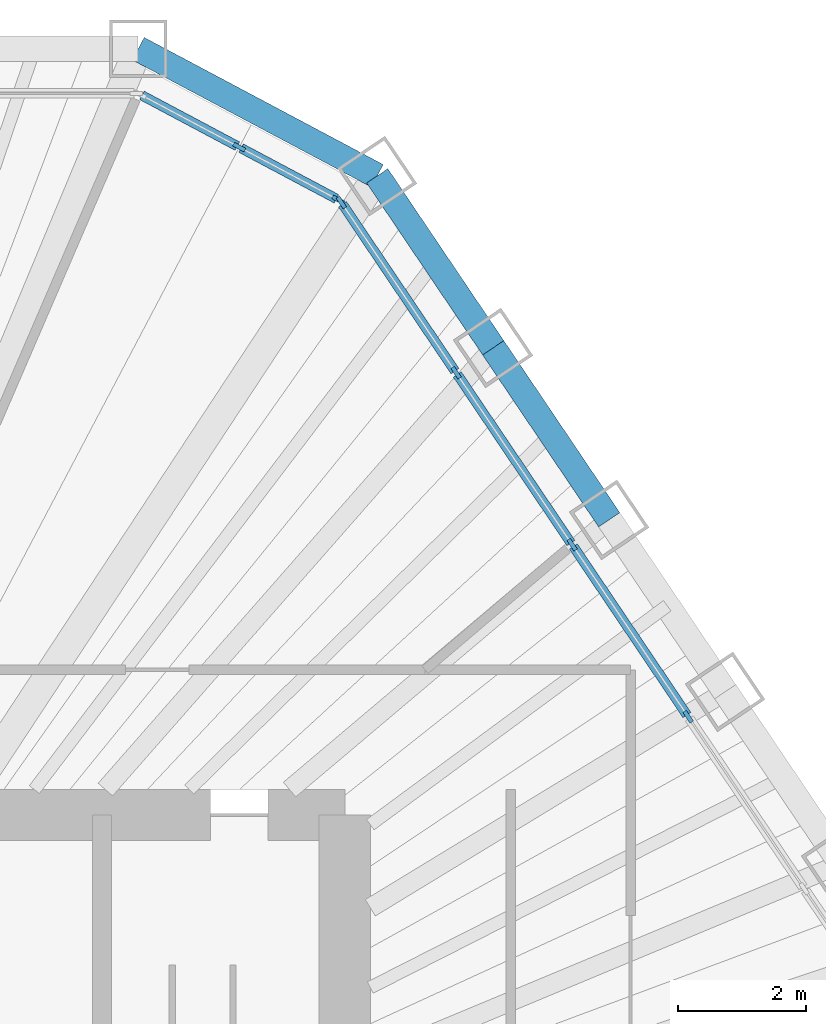
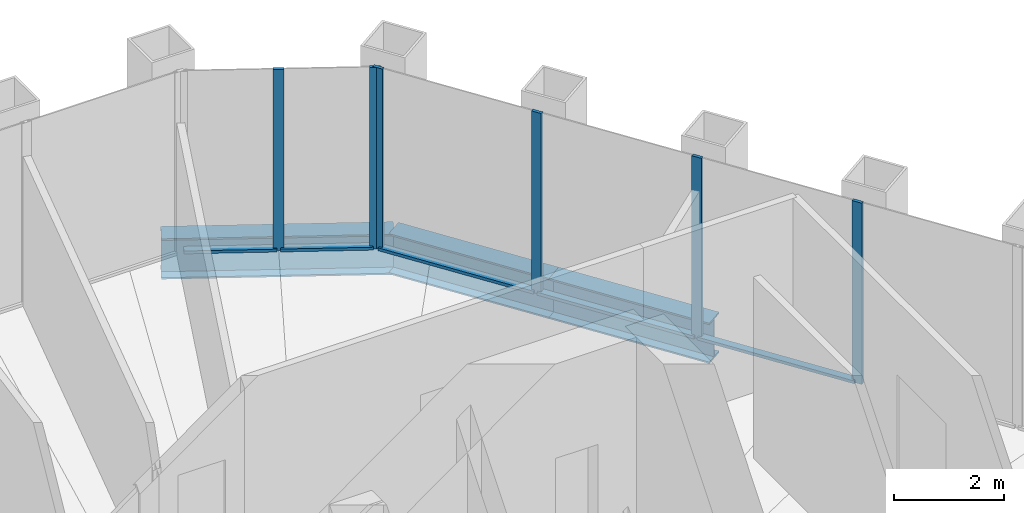
# One storey, part 8 of 14: 11 members, 3 beams, 2 elements without a shape of their own.
"""IFC4 building model written with IfcOpenShell, lengths in metres."""

from ifc_helpers import new_model, si_unit, direction, frame, origin, origin_2d, place, context, subcontext, project, spatial, rectangle, i_section, extrude, material, material_profile, profile_set, type_object, element, aggregate, save


model = new_model("IFC4")

# Units and contexts
model_context = context("Model", 3, precision=1e-05, world=origin(), true_north=direction((0.0, 1.0)))
body_context = subcontext(model_context, "Body", "Model", "MODEL_VIEW")
ifc_project = project(units=[si_unit("LENGTHUNIT", "METRE"), si_unit("AREAUNIT", "SQUARE_METRE"), si_unit("VOLUMEUNIT", "CUBIC_METRE"), si_unit("PLANEANGLEUNIT", "RADIAN"), si_unit("MASSUNIT", "GRAM", prefix="KILO")], contexts=[model_context])

# Site, building, storey
site_placement = place(None, origin())
site = spatial("IfcSite", under=ifc_project, at=site_placement, CompositionType="ELEMENT")
building_placement = place(site_placement, origin())
building = spatial("IfcBuilding", under=site, at=building_placement, Name="Qingtian Harvest Tower", CompositionType="ELEMENT")
storey_placement = place(building_placement, frame((0.0, 0.0, 316.60009765625)))
storey = spatial("IfcBuildingStorey", under=building, at=storey_placement, Name="L70", CompositionType="ELEMENT", Elevation=316.60009765625)

# Curtain wall, members
ifc_material_1 = material(Name="Bronze-anodised aluminium curtain wall", Category="aluminium")
curtain_wall_type = type_object("IfcCurtainWallType", Name="Curtain wall CW5 upper office", PredefinedType="USERDEFINED", material=ifc_material_1)
curtain_wall_1_placement = place(storey_placement, origin())
curtain_wall_1 = element("IfcCurtainWall", 1, at=curtain_wall_1_placement, inside=storey, type_object=curtain_wall_type, Name="Curtain wall CW5 L70 NC", ObjectType="RECESSED CURTAIN WALL", PredefinedType="USERDEFINED")
ifc_material_2 = material(Name="Bronze-anodised aluminium mullion", Category="aluminium")
ifc_material_profile_1 = material_profile(ifc_material_2, rectangle(XDim=0.06494140625, YDim=0.199951171875, at=origin_2d()), Name="AL 65x200")
ifc_profile_set_1 = profile_set([ifc_material_profile_1], Name="Bronze-anodised aluminium mullion")
member_type_1 = type_object("IfcMemberType", Name="Mullion CWM 65x200", PredefinedType="MULLION", material=ifc_profile_set_1)
member_1_placement = place(storey_placement, frame((10.3466796875, 19.45947265625, 0.0), z_axis=(0.0, 0.0, 1.0), x_axis=(0.469471562786, 0.882947592859, 0.0)))
member_1 = element("IfcMember", 2, at=member_1_placement, type_object=member_type_1, Name="CW5 mullion 2", PredefinedType="MULLION", context=body_context, shape_type="SweptSolid", body=[
    extrude(rectangle(XDim=0.06494140625, YDim=0.199951171875, at=origin_2d()), origin(), (0.0, 0.0, 1.0), 4.02978515625),
])
member_2_placement = place(storey_placement, frame((11.89892578125, 18.634033203125, 0.0), z_axis=(0.0, 0.0, 1.0), x_axis=(0.469471562786, 0.882947592859, 0.0)))
member_2 = element("IfcMember", 3, at=member_2_placement, type_object=member_type_1, Name="CW5 mullion 3", PredefinedType="MULLION", context=body_context, shape_type="SweptSolid", body=[
    extrude(rectangle(XDim=0.06494140625, YDim=0.199951171875, at=origin_2d()), origin(), (0.0, 0.0, 1.0), 4.02978515625),
])

curtain_wall_2_placement = place(storey_placement, origin())
curtain_wall_2 = element("IfcCurtainWall", 4, at=curtain_wall_2_placement, inside=storey, type_object=curtain_wall_type, Name="Curtain wall CW5 L70 NE0-5", ObjectType="RECESSED CURTAIN WALL", PredefinedType="USERDEFINED")
member_3_placement = place(storey_placement, frame((11.94580078125, 18.592041015625, 0.0), z_axis=(0.0, 0.0, 1.0), x_axis=(0.829037572555, 0.559192903471, 0.0)))
member_3 = element("IfcMember", 5, at=member_3_placement, type_object=member_type_1, Name="CW5 mullion 1", PredefinedType="MULLION", context=body_context, shape_type="SweptSolid", body=[
    extrude(rectangle(XDim=0.06494140625, YDim=0.199951171875, at=origin_2d()), origin(), (0.0, 0.0, 1.0), 4.02978515625),
])
member_4_placement = place(storey_placement, frame((13.743896484375, 15.926025390625, 0.0), z_axis=(0.0, 0.0, 1.0), x_axis=(0.829037572555, 0.559192903471, 0.0)))
member_4 = element("IfcMember", 6, at=member_4_placement, type_object=member_type_1, Name="CW5 mullion 2", PredefinedType="MULLION", context=body_context, shape_type="SweptSolid", body=[
    extrude(rectangle(XDim=0.06494140625, YDim=0.199951171875, at=origin_2d()), origin(), (0.0, 0.0, 1.0), 4.02978515625),
])
member_5_placement = place(storey_placement, frame((15.56005859375, 13.2333984375, 0.0), z_axis=(0.0, 0.0, 1.0), x_axis=(0.829037572555, 0.559192903471, 0.0)))
member_5 = element("IfcMember", 7, at=member_5_placement, type_object=member_type_1, Name="CW5 mullion 3", PredefinedType="MULLION", context=body_context, shape_type="SweptSolid", body=[
    extrude(rectangle(XDim=0.06494140625, YDim=0.199951171875, at=origin_2d()), origin(), (0.0, 0.0, 1.0), 4.02978515625),
])
member_6_placement = place(storey_placement, frame((17.37646484375, 10.540771484375, 0.0), z_axis=(0.0, 0.0, 1.0), x_axis=(0.829037572555, 0.559192903471, 0.0)))
member_6 = element("IfcMember", 8, at=member_6_placement, type_object=member_type_1, Name="CW5 mullion 4", PredefinedType="MULLION", context=body_context, shape_type="SweptSolid", body=[
    extrude(rectangle(XDim=0.06494140625, YDim=0.199951171875, at=origin_2d()), origin(), (0.0, 0.0, 1.0), 4.02978515625),
])

# Beams
ifc_material_3 = material(Name="Steel SN490B", Category="steel")
ifc_material_profile_2 = material_profile(ifc_material_3, i_section(OverallWidth=0.39990234375, OverallDepth=0.89990234375, WebThickness=0.01904296875, FlangeThickness=0.035888671875, at=origin_2d()), Name="H900x400x19x36")
ifc_profile_set_2 = profile_set([ifc_material_profile_2], Name="Steel SN490B")
beam_type = type_object("IfcBeamType", Name="Spandrel beam SB4 H900x400x19x36", PredefinedType="SPANDREL", material=ifc_profile_set_2)
beam_1_placement = place(storey_placement, frame((8.765869140625, 21.0, -0.4501953125), z_axis=(0.882948599748, -0.469469669099, 0.0), x_axis=(0.469469669099, 0.882948599748, 0.0)))
element("IfcBeam", 9, at=beam_1_placement, inside=storey, type_object=beam_type, Name="Spandrel SB4 NC", PredefinedType="SPANDREL", context=body_context, shape_type="SweptSolid", body=[
    extrude(i_section(OverallWidth=0.39990234375, OverallDepth=0.89990234375, WebThickness=0.01904296875, FlangeThickness=0.035888671875, at=origin_2d()), origin(), (0.0, 0.0, 1.0), 4.23828125),
])
beam_2_placement = place(storey_placement, frame((12.508056640625, 19.01025390625, -0.4501953125), z_axis=(0.559184924833, -0.829042954158, 0.0), x_axis=(0.829042954158, 0.559184924833, 0.0)))
element("IfcBeam", 10, at=beam_2_placement, inside=storey, type_object=beam_type, Name="Spandrel SB4 NE0", PredefinedType="SPANDREL", context=body_context, shape_type="SweptSolid", body=[
    extrude(i_section(OverallWidth=0.39990234375, OverallDepth=0.89990234375, WebThickness=0.01904296875, FlangeThickness=0.035888671875, at=origin_2d()), origin(), (0.0, 0.0, 1.0), 3.247802734375),
])
beam_3_placement = place(storey_placement, frame((14.32421875, 16.317626953125, -0.4501953125), z_axis=(0.559201740147, -0.829031612073, 0.0), x_axis=(0.829031612073, 0.559201740147, 0.0)))
element("IfcBeam", 11, at=beam_3_placement, inside=storey, type_object=beam_type, Name="Spandrel SB4 NE1", PredefinedType="SPANDREL", context=body_context, shape_type="SweptSolid", body=[
    extrude(i_section(OverallWidth=0.39990234375, OverallDepth=0.89990234375, WebThickness=0.01904296875, FlangeThickness=0.035888671875, at=origin_2d()), origin(), (0.0, 0.0, 1.0), 3.248291015625),
])

# Member
ifc_material_4 = material(Name="Bronze-anodised aluminium transom", Category="aluminium")
ifc_material_profile_3 = material_profile(ifc_material_4, rectangle(XDim=0.14990234375, YDim=0.06494140625, at=origin_2d()), Name="AL 65x150")
ifc_profile_set_3 = profile_set([ifc_material_profile_3], Name="Bronze-anodised aluminium transom")
member_type_2 = type_object("IfcMemberType", Name="Transom CWT 65x150", PredefinedType="USERDEFINED", material=ifc_profile_set_3)
member_7_placement = place(storey_placement, frame((8.8232421875, 20.26953125, 0.032470703125), z_axis=(0.882927080927, -0.469510138086, 0.0), x_axis=(0.469510138086, 0.882927080927, 0.0)))
member_7 = element("IfcMember", 12, at=member_7_placement, type_object=member_type_2, Name="CW5 transom 1.1", ObjectType="TRANSOM", PredefinedType="USERDEFINED", context=body_context, shape_type="SweptSolid", body=[
    extrude(rectangle(XDim=0.14990234375, YDim=0.06494140625, at=origin_2d()), origin(), (0.0, 0.0, 1.0), 1.693115234375),
])

member_8_placement = place(storey_placement, frame((10.37548828125, 19.444091796875, 0.032470703125), z_axis=(0.882986854304, -0.469397715297, 0.0), x_axis=(0.469397715297, 0.882986854304, 0.0)))
member_8 = element("IfcMember", 13, at=member_8_placement, type_object=member_type_2, Name="CW5 transom 2.1", ObjectType="TRANSOM", PredefinedType="USERDEFINED", context=body_context, shape_type="SweptSolid", body=[
    extrude(rectangle(XDim=0.14990234375, YDim=0.06494140625, at=origin_2d()), origin(), (0.0, 0.0, 1.0), 1.69287109375),
])

aggregate(curtain_wall_1, [member_1, member_2, member_7, member_8])

member_9_placement = place(storey_placement, frame((11.9638671875, 18.56494140625, 0.032470703125), z_axis=(0.559251907839, -0.828997770551, 0.0), x_axis=(0.828997770551, 0.559251907839, 0.0)))
member_9 = element("IfcMember", 14, at=member_9_placement, type_object=member_type_2, Name="CW5 transom 1.1", ObjectType="TRANSOM", PredefinedType="USERDEFINED", context=body_context, shape_type="SweptSolid", body=[
    extrude(rectangle(XDim=0.14990234375, YDim=0.06494140625, at=origin_2d()), origin(), (0.0, 0.0, 1.0), 3.150634765625),
])

member_10_placement = place(storey_placement, frame((13.761962890625, 15.899169921875, 0.032470703125), z_axis=(0.55920542009, -0.829029129852, 0.0), x_axis=(0.829029129852, 0.55920542009, 0.0)))
member_10 = element("IfcMember", 15, at=member_10_placement, type_object=member_type_2, Name="CW5 transom 2.1", ObjectType="TRANSOM", PredefinedType="USERDEFINED", context=body_context, shape_type="SweptSolid", body=[
    extrude(rectangle(XDim=0.14990234375, YDim=0.06494140625, at=origin_2d()), origin(), (0.0, 0.0, 1.0), 3.18310546875),
])

member_11_placement = place(storey_placement, frame((15.578369140625, 13.20654296875, 0.032470703125), z_axis=(0.55920542009, -0.829029129852, 0.0), x_axis=(0.829029129852, 0.55920542009, 0.0)))
member_11 = element("IfcMember", 16, at=member_11_placement, type_object=member_type_2, Name="CW5 transom 3.1", ObjectType="TRANSOM", PredefinedType="USERDEFINED", context=body_context, shape_type="SweptSolid", body=[
    extrude(rectangle(XDim=0.14990234375, YDim=0.06494140625, at=origin_2d()), origin(), (0.0, 0.0, 1.0), 3.18310546875),
])

aggregate(curtain_wall_2, [member_3, member_4, member_5, member_6, member_9, member_10, member_11])

save(model, "model.ifc")
